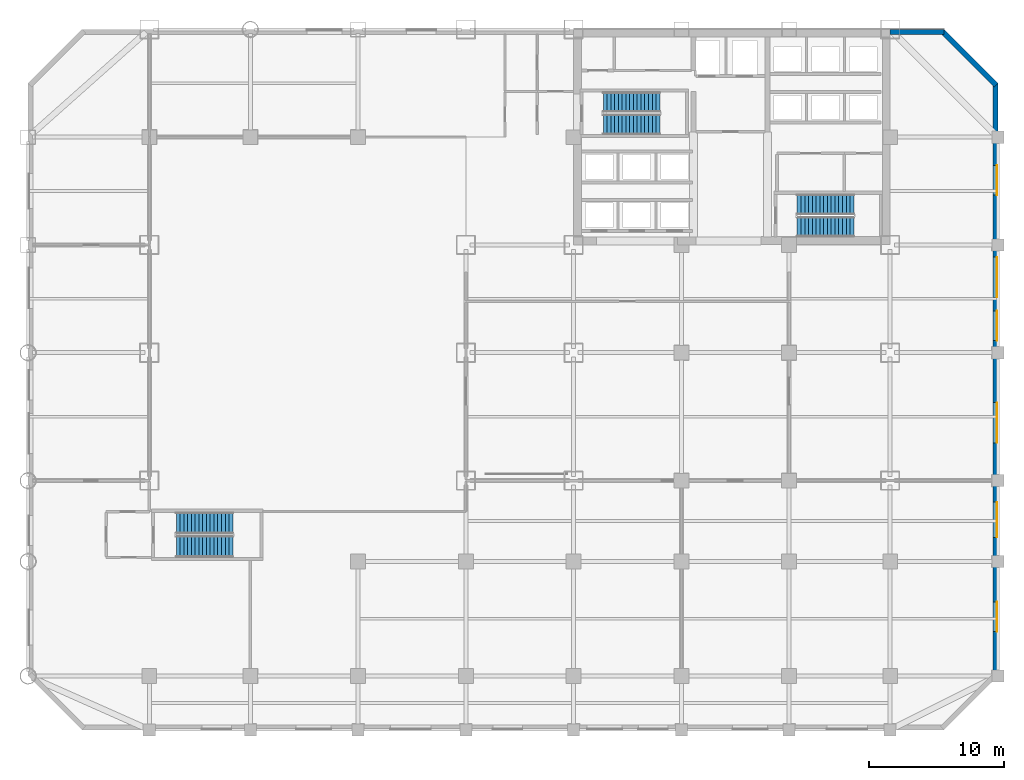
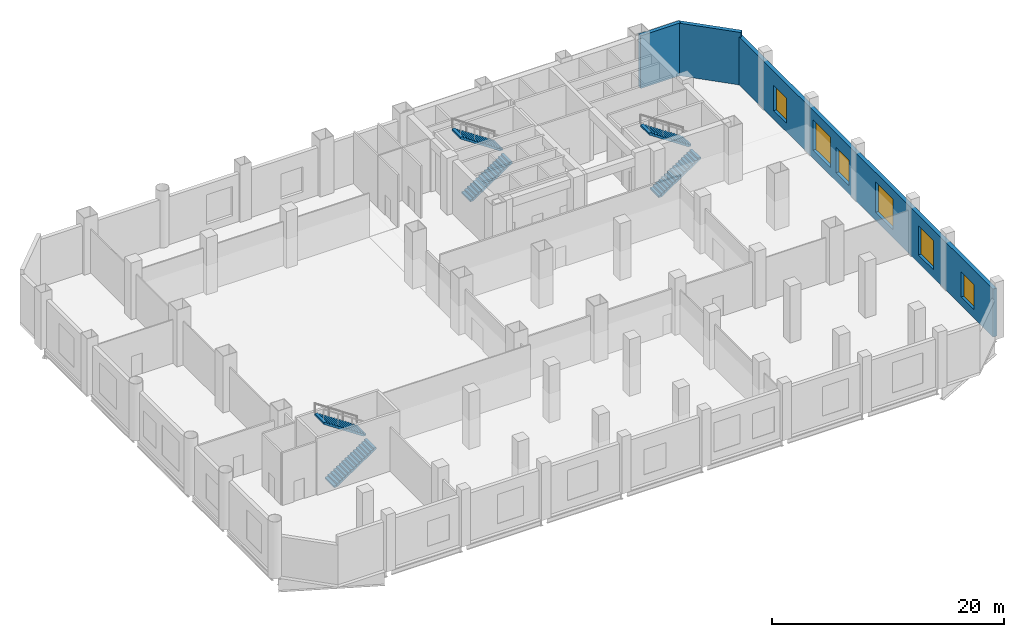
# One storey, part 7 of 11: 6 stair flights, 6 windows, 3 walls, 6 openings, 3 elements without a shape of their own.
"""IFC4 building model written with IfcOpenShell, lengths in metres."""

import ifcopenshell
import ifcopenshell.guid

model = None  # the IFC model being written
_history = None  # IfcOwnerHistory: only IFC2X3 demands one
_inside = {}  # id of a spatial element -> (the spatial element, [elements in it])
_under = {}  # id of a project, library or spatial element -> (it, [spatial elements below it])
_declared = {}  # id of a project -> (the project, [libraries it declares])
_typed = {}  # id of a type object -> (the type object, [elements of that type])
_made_of = {}  # id of a material, layer set ... -> (it, [elements and type objects made of it])


def new_model(schema):
    """Start an empty IFC model of exactly this schema.

    Asked for "IFC4X3", IfcOpenShell would pick the latest addendum, in which some entities
    have other attributes; the version numbers below select the first issue.
    IFC2X3 requires an IfcOwnerHistory on every rooted entity: one is made here for all.
    """
    global model, _history
    if schema == "IFC4X3":
        model = ifcopenshell.file(schema_version=(4, 3, 0, 0))
    else:
        model = ifcopenshell.file(schema=schema)
    _inside.clear()
    _under.clear()
    _declared.clear()
    _typed.clear()
    _made_of.clear()
    _history = None
    if model.schema == "IFC2X3":
        org = make("IfcOrganization", Name="unknown")
        user = make(
            "IfcPersonAndOrganization",
            ThePerson=make("IfcPerson", FamilyName="unknown"),
            TheOrganization=org,
        )
        app = make(
            "IfcApplication",
            ApplicationDeveloper=org,
            Version="unknown",
            ApplicationFullName="unknown",
            ApplicationIdentifier="unknown",
        )
        _history = make(
            "IfcOwnerHistory",
            OwningUser=user,
            OwningApplication=app,
            ChangeAction="ADDED",
            CreationDate=0,
        )
    return model


def make(cls, **values):
    """One entity of the class cls with the attributes given. An attribute that is None is left unset."""
    return model.create_entity(
        cls, **{name: value for name, value in values.items() if value is not None}
    )


def rooted(cls, **values):
    """An entity with a GlobalId (a new one), such as an element, a storey or a relation."""
    return make(cls, GlobalId=ifcopenshell.guid.new(), OwnerHistory=_history, **values)


def si_unit(unit_type, name, prefix=None):
    """IfcSIUnit, for example si_unit("LENGTHUNIT", "METRE", prefix="MILLI")."""
    return make("IfcSIUnit", UnitType=unit_type, Prefix=prefix, Name=name)


def assignment(units):
    """IfcUnitAssignment: the units of a project."""
    return None if units is None else make("IfcUnitAssignment", Units=units)


def point(xyz):
    """IfcCartesianPoint."""
    return None if xyz is None else make("IfcCartesianPoint", Coordinates=xyz)


def direction(xyz):
    """IfcDirection."""
    return None if xyz is None else make("IfcDirection", DirectionRatios=xyz)


def frame(location, z_axis=None, x_axis=None):
    """IfcAxis2Placement3D, a coordinate frame: its origin and axes. An axis left out is left unset."""
    return make(
        "IfcAxis2Placement3D",
        Location=point(location),
        Axis=direction(z_axis),
        RefDirection=direction(x_axis),
    )


def frame_2d(location, x_axis=None):
    """IfcAxis2Placement2D, a coordinate frame in the plane: its origin and x axis."""
    return make(
        "IfcAxis2Placement2D", Location=point(location), RefDirection=direction(x_axis)
    )


def origin():
    """The frame at (0, 0, 0) with its axes left unset."""
    return frame((0.0, 0.0, 0.0))


def place(relative_to, where):
    """IfcLocalPlacement: puts the frame where relative to a parent placement (None: the world)."""
    return make(
        "IfcLocalPlacement", PlacementRelTo=relative_to, RelativePlacement=where
    )


def context(
    kind, dimensions, precision=None, world=None, true_north=None, identifier=None
):
    """IfcGeometricRepresentationContext, for example the 3D "Model" context."""
    return make(
        "IfcGeometricRepresentationContext",
        ContextIdentifier=identifier,
        ContextType=kind,
        CoordinateSpaceDimension=dimensions,
        Precision=precision,
        WorldCoordinateSystem=world,
        TrueNorth=true_north,
    )


def subcontext(parent, identifier, kind, view, scale=None):
    """IfcGeometricRepresentationSubContext, for example "Body" below "Model"."""
    return make(
        "IfcGeometricRepresentationSubContext",
        ContextIdentifier=identifier,
        ContextType=kind,
        ParentContext=parent,
        TargetScale=scale,
        TargetView=view,
    )


def project(units=None, contexts=None):
    """IfcProject with its units and contexts."""
    return rooted(
        "IfcProject",
        Name="project",
        RepresentationContexts=contexts,
        UnitsInContext=assignment(units),
    )


def spatial(cls, under=None, at=None, **own):
    """A site, building, storey or space (cls), placed at a placement, below another one or the project."""
    s = rooted(cls, ObjectPlacement=at, **own)
    if under is not None:
        _under.setdefault(under.id(), (under, []))[1].append(s)
    return s


def polyline(points):
    """IfcPolyline through the points."""
    return make("IfcPolyline", Points=[point(p) for p in points])


def profile(cls, at=None, kind="AREA", **sizes):
    """A parametric profile (cls). Its sizes go by their IFC names, for example OverallWidth=200.0."""
    return make(cls, ProfileType=kind, Position=at, **sizes)


def rectangle(**sizes):
    """IfcRectangleProfileDef."""
    return profile("IfcRectangleProfileDef", **sizes)


def outline(outer, holes=None, kind="AREA"):
    """IfcArbitraryClosedProfileDef: a profile drawn as a closed curve; with holes, ...WithVoids."""
    if holes is None:
        return make("IfcArbitraryClosedProfileDef", ProfileType=kind, OuterCurve=outer)
    return make(
        "IfcArbitraryProfileDefWithVoids",
        ProfileType=kind,
        OuterCurve=outer,
        InnerCurves=holes,
    )


def extrude(swept, where, along, depth):
    """IfcExtrudedAreaSolid: the profile swept, set in the frame where, extruded along a direction by depth."""
    return make(
        "IfcExtrudedAreaSolid",
        SweptArea=swept,
        Position=where,
        ExtrudedDirection=direction(along),
        Depth=depth,
    )


def shape(context_of_items, identifier, shape_type, items):
    """IfcShapeRepresentation: the items that make up one representation, for example the "Body"."""
    return make(
        "IfcShapeRepresentation",
        ContextOfItems=context_of_items,
        RepresentationIdentifier=identifier,
        RepresentationType=shape_type,
        Items=items,
    )


def material(Name=None, Category=None):
    """IfcMaterial."""
    return make("IfcMaterial", Name=Name, Category=Category)


def layer(
    of_material, thickness, ventilated=None, Name=None, Category=None, Priority=None
):
    """IfcMaterialLayer: one layer of a wall or slab, of a material (None: an air gap)."""
    return make(
        "IfcMaterialLayer",
        Material=of_material,
        LayerThickness=thickness,
        IsVentilated=ventilated,
        Name=Name,
        Category=Category,
        Priority=Priority,
    )


def layer_set(layers, Name=None):
    """IfcMaterialLayerSet."""
    return make("IfcMaterialLayerSet", MaterialLayers=layers, LayerSetName=Name)


def made_of(thing, what):
    """Note that an element or type object is made of a material, layer set ...; save() writes the relation."""
    if what is not None:
        _made_of.setdefault(what.id(), (what, []))[1].append(thing)
    return thing


def type_object(cls, material=None, **own):
    """A type object (cls), such as IfcWallType, which elements share."""
    return made_of(rooted(cls, **own), material)


def element(
    cls,
    number,
    at=None,
    inside=None,
    cuts=None,
    type_object=None,
    material=None,
    context=None,
    identifier="Body",
    shape_type=None,
    held_by="IfcProductDefinitionShape",
    body=None,
    shapes=None,
    **own,
):
    """One element of the class cls, such as IfcWall. Its Tag is "e" and its number.

    at: its placement. inside: the storey or other place that contains it. cuts: it is an
    opening in that element (IfcRelVoidsElement). A single representation is given by context,
    identifier, shape_type and body (its items); several are given by shapes. held_by: the class
    of the entity that holds the representations. save() writes the other relations.
    """
    e = rooted(cls, Tag="e%d" % number, ObjectPlacement=at, **own)
    if body is not None:
        shapes = [shape(context, identifier, shape_type, body)]
    if shapes is not None:
        e.Representation = make(held_by, Representations=shapes)
    if inside is not None:
        _inside.setdefault(inside.id(), (inside, []))[1].append(e)
    if cuts is not None:
        rooted(
            "IfcRelVoidsElement", RelatingBuildingElement=cuts, RelatedOpeningElement=e
        )
    if type_object is not None:
        _typed.setdefault(type_object.id(), (type_object, []))[1].append(e)
    return made_of(e, material)


def fill(opening, filler):
    """IfcRelFillsElement: the door or window that sits in an opening."""
    return rooted(
        "IfcRelFillsElement",
        RelatingOpeningElement=opening,
        RelatedBuildingElement=filler,
    )


def aggregate(whole, parts):
    """IfcRelAggregates: a whole, such as a stair, and the parts it consists of."""
    return rooted("IfcRelAggregates", RelatingObject=whole, RelatedObjects=parts)


def save(model, path):
    """Write the relations noted so far, then the file.

    IfcRelAggregates (storeys below a building ...), IfcRelContainedInSpatialStructure (elements
    in a storey), IfcRelDefinesByType, IfcRelAssociatesMaterial and IfcRelDeclares: one each for
    every whole, place, type object, material and project.
    """
    for whole, parts in _under.values():
        aggregate(whole, parts)
    for where, things in _inside.values():
        rooted(
            "IfcRelContainedInSpatialStructure",
            RelatedElements=things,
            RelatingStructure=where,
        )
    for kind, things in _typed.values():
        rooted("IfcRelDefinesByType", RelatedObjects=things, RelatingType=kind)
    for what, things in _made_of.values():
        rooted("IfcRelAssociatesMaterial", RelatedObjects=things, RelatingMaterial=what)
    for by, libraries in _declared.values():
        rooted("IfcRelDeclares", RelatingContext=by, RelatedDefinitions=libraries)
    model.write(path)


model = new_model("IFC4")

# Units and contexts
model_context = context("Model", 3, precision=1e-05, world=origin(), true_north=direction((0.0, 1.0)))
body_context = subcontext(model_context, "Body", "Model", "MODEL_VIEW")
ifc_project = project(units=[si_unit("LENGTHUNIT", "METRE"), si_unit("AREAUNIT", "SQUARE_METRE"), si_unit("VOLUMEUNIT", "CUBIC_METRE"), si_unit("PLANEANGLEUNIT", "RADIAN"), si_unit("MASSUNIT", "GRAM", prefix="KILO")], contexts=[model_context])

# Site, building, storey
site_placement = place(None, origin())
site = spatial("IfcSite", under=ifc_project, at=site_placement, CompositionType="ELEMENT")
building_placement = place(site_placement, origin())
building = spatial("IfcBuilding", under=site, at=building_placement, Name="Qianrong Seaharbour Tower", CompositionType="ELEMENT")
storey_placement = place(building_placement, frame((0.0, 0.0, 11.39990234375)))
storey = spatial("IfcBuildingStorey", under=building, at=storey_placement, Name="L03", CompositionType="ELEMENT", Elevation=11.39990234375)

# Walls
ifc_material_1 = material(Name="Natural honed granite dimension stone", Category="masonry")
ifc_layer = layer(ifc_material_1, 0.3798828125)
ifc_layer_set = layer_set([ifc_layer], Name="Natural honed granite dimension stone")
wall_type = type_object("IfcWallType", Name="WALL-EXT-GRANITE-380", PredefinedType="SOLIDWALL", material=ifc_layer_set)
wall_1_placement = place(storey_placement, frame((63.97998046875, 51.81005859375, 0.0), z_axis=(0.0, 0.0, 1.0), x_axis=(1.0, 0.0, 0.0)))
element("IfcWall", 1, at=wall_1_placement, inside=storey, type_object=wall_type, Name="L03 North-East Podium Facade Wall", PredefinedType="SOLIDWALL", context=body_context, shape_type="SweptSolid", body=[
    extrude(rectangle(XDim=4.02001953125, YDim=0.3798828125, at=frame_2d((2.010009765625, 0.0))), origin(), (0.0, 0.0, 1.0), 5.550048828125),
])
wall_2_placement = place(storey_placement, frame((67.86572265625, 51.86572265625, 0.0), z_axis=(0.0, 0.0, 1.0), x_axis=(0.707106781187, -0.707106781187, 0.0)))
element("IfcWall", 2, at=wall_2_placement, inside=storey, type_object=wall_type, Name="L03 Exterior Masonry Facade Wall E03", PredefinedType="SOLIDWALL", context=body_context, shape_type="SweptSolid", body=[
    extrude(rectangle(XDim=5.65673828125, YDim=0.3798828125, at=frame_2d((2.828369140625, 0.0))), origin(), (0.0, 0.0, 1.0), 5.550048828125),
])

# Wall, openings, windows
wall_3_placement = place(storey_placement, frame((71.81005859375, 48.0, 0.0), z_axis=(0.0, 0.0, 1.0), x_axis=(0.0, -1.0, 0.0)))
wall_3 = element("IfcWall", 3, at=wall_3_placement, inside=storey, type_object=wall_type, Name="L03 Exterior Masonry Facade Wall EAST_WING", PredefinedType="SOLIDWALL", context=body_context, shape_type="SweptSolid", body=[
    extrude(rectangle(XDim=44.0, YDim=0.3798828125, at=frame_2d((22.0, 0.0))), origin(), (0.0, 0.0, 1.0), 5.050048828125),
])
opening_1_placement = place(wall_3_placement, frame((6.10009765625, 0.0, 0.89990234375)))
opening_1 = element("IfcOpeningElement", 4, at=opening_1_placement, cuts=wall_3, Name="Opening WN-10", PredefinedType="OPENING", context=body_context, shape_type="SweptSolid", body=[
    extrude(rectangle(XDim=2.199951171875, YDim=2.64990234375, at=frame_2d((1.10009765625, 1.324951171875))), frame((0.0, 0.199951171875, 0.0), z_axis=(0.0, -1.0, 0.0), x_axis=(1.0, 0.0, 0.0)), (0.0, 0.0, 1.0), 0.39990234375),
])
opening_2_placement = place(wall_3_placement, frame((12.89990234375, 0.0, 0.85009765625)))
opening_2 = element("IfcOpeningElement", 5, at=opening_2_placement, cuts=wall_3, Name="Opening WN-12", PredefinedType="OPENING", context=body_context, shape_type="SweptSolid", body=[
    extrude(rectangle(XDim=3.0, YDim=3.199951171875, at=frame_2d((1.5, 1.60009765625))), frame((0.0, 0.199951171875, 0.0), z_axis=(0.0, -1.0, 0.0), x_axis=(1.0, 0.0, 0.0)), (0.0, 0.0, 1.0), 0.39990234375),
])
opening_3_placement = place(wall_3_placement, frame((16.89990234375, 0.0, 0.89990234375)))
opening_3 = element("IfcOpeningElement", 6, at=opening_3_placement, cuts=wall_3, Name="Opening WN-10", PredefinedType="OPENING", context=body_context, shape_type="SweptSolid", body=[
    extrude(rectangle(XDim=2.199951171875, YDim=2.64990234375, at=frame_2d((1.10009765625, 1.324951171875))), frame((0.0, 0.199951171875, 0.0), z_axis=(0.0, -1.0, 0.0), x_axis=(1.0, 0.0, 0.0)), (0.0, 0.0, 1.0), 0.39990234375),
])
opening_4_placement = place(wall_3_placement, frame((23.699951171875, 0.0, 0.85009765625)))
opening_4 = element("IfcOpeningElement", 7, at=opening_4_placement, cuts=wall_3, Name="Opening WN-12", PredefinedType="OPENING", context=body_context, shape_type="SweptSolid", body=[
    extrude(rectangle(XDim=3.0, YDim=3.199951171875, at=frame_2d((1.5, 1.60009765625))), frame((0.0, 0.199951171875, 0.0), z_axis=(0.0, -1.0, 0.0), x_axis=(1.0, 0.0, 0.0)), (0.0, 0.0, 1.0), 0.39990234375),
])
opening_5_placement = place(wall_3_placement, frame((31.10009765625, 0.0, 0.85009765625)))
opening_5 = element("IfcOpeningElement", 8, at=opening_5_placement, cuts=wall_3, Name="Opening WN-11", PredefinedType="OPENING", context=body_context, shape_type="SweptSolid", body=[
    extrude(rectangle(XDim=2.60009765625, YDim=3.10009765625, at=frame_2d((1.300048828125, 1.550048828125))), frame((0.0, 0.199951171875, 0.0), z_axis=(0.0, -1.0, 0.0), x_axis=(1.0, 0.0, 0.0)), (0.0, 0.0, 1.0), 0.39990234375),
])
opening_6_placement = place(wall_3_placement, frame((38.5, 0.0, 0.89990234375)))
opening_6 = element("IfcOpeningElement", 9, at=opening_6_placement, cuts=wall_3, Name="Opening WN-10", PredefinedType="OPENING", context=body_context, shape_type="SweptSolid", body=[
    extrude(rectangle(XDim=2.199951171875, YDim=2.64990234375, at=frame_2d((1.10009765625, 1.324951171875))), frame((0.0, 0.199951171875, 0.0), z_axis=(0.0, -1.0, 0.0), x_axis=(1.0, 0.0, 0.0)), (0.0, 0.0, 1.0), 0.39990234375),
])
ifc_material_2 = material(Name="Insulated low-e double glazing in thermally broken aluminium 6063-T6 frame", Category="aluminium")
window_type_1 = type_object("IfcWindowType", Name="WIN-POD-2600x3100", PartitioningType="TRIPLE_PANEL_VERTICAL", PredefinedType="WINDOW", material=ifc_material_2)
window_1_placement = place(opening_5_placement, origin())
window_1 = element("IfcWindow", 10, at=window_1_placement, inside=storey, type_object=window_type_1, Name="L03 Deep-Set Punched Window 04.09", OverallHeight=3.10009765625, OverallWidth=2.60009765625, PartitioningType="TRIPLE_PANEL_VERTICAL", PredefinedType="WINDOW", context=body_context, shape_type="SweptSolid", body=[
    extrude(rectangle(XDim=2.60009765625, YDim=3.10009765625, at=frame_2d((1.300048828125, 1.550048828125))), frame((0.0, 0.150146484375, 0.0), z_axis=(0.0, -1.0, 0.0), x_axis=(1.0, 0.0, 0.0)), (0.0, 0.0, 1.0), 0.06005859375),
])
fill(opening_5, window_1)
window_type_2 = type_object("IfcWindowType", Name="WIN-POD-3000x3200", PartitioningType="TRIPLE_PANEL_VERTICAL", PredefinedType="WINDOW", material=ifc_material_2)
window_2_placement = place(opening_2_placement, origin())
window_2 = element("IfcWindow", 11, at=window_2_placement, inside=storey, type_object=window_type_2, Name="L03 Deep-Set Punched Window 04.04", OverallHeight=3.199951171875, OverallWidth=3.0, PartitioningType="TRIPLE_PANEL_VERTICAL", PredefinedType="WINDOW", context=body_context, shape_type="SweptSolid", body=[
    extrude(rectangle(XDim=3.0, YDim=3.199951171875, at=frame_2d((1.5, 1.60009765625))), frame((0.0, 0.150146484375, 0.0), z_axis=(0.0, -1.0, 0.0), x_axis=(1.0, 0.0, 0.0)), (0.0, 0.0, 1.0), 0.06005859375),
])
fill(opening_2, window_2)
window_3_placement = place(opening_4_placement, origin())
window_3 = element("IfcWindow", 12, at=window_3_placement, inside=storey, type_object=window_type_2, Name="L03 Deep-Set Punched Window 04.07", OverallHeight=3.199951171875, OverallWidth=3.0, PartitioningType="TRIPLE_PANEL_VERTICAL", PredefinedType="WINDOW", context=body_context, shape_type="SweptSolid", body=[
    extrude(rectangle(XDim=3.0, YDim=3.199951171875, at=frame_2d((1.5, 1.60009765625))), frame((0.0, 0.150146484375, 0.0), z_axis=(0.0, -1.0, 0.0), x_axis=(1.0, 0.0, 0.0)), (0.0, 0.0, 1.0), 0.06005859375),
])
fill(opening_4, window_3)
window_type_3 = type_object("IfcWindowType", Name="WIN-PUNCH-2200x2650", PartitioningType="TRIPLE_PANEL_VERTICAL", PredefinedType="WINDOW", material=ifc_material_2)
window_4_placement = place(opening_1_placement, origin())
window_4 = element("IfcWindow", 13, at=window_4_placement, inside=storey, type_object=window_type_3, Name="L03 Deep-Set Punched Window 04.02", OverallHeight=2.64990234375, OverallWidth=2.199951171875, PartitioningType="TRIPLE_PANEL_VERTICAL", PredefinedType="WINDOW", context=body_context, shape_type="SweptSolid", body=[
    extrude(rectangle(XDim=2.199951171875, YDim=2.64990234375, at=frame_2d((1.10009765625, 1.324951171875))), frame((0.0, 0.150146484375, 0.0), z_axis=(0.0, -1.0, 0.0), x_axis=(1.0, 0.0, 0.0)), (0.0, 0.0, 1.0), 0.06005859375),
])
fill(opening_1, window_4)
window_5_placement = place(opening_3_placement, origin())
window_5 = element("IfcWindow", 14, at=window_5_placement, inside=storey, type_object=window_type_3, Name="L03 Deep-Set Punched Window 04.05", OverallHeight=2.64990234375, OverallWidth=2.199951171875, PartitioningType="TRIPLE_PANEL_VERTICAL", PredefinedType="WINDOW", context=body_context, shape_type="SweptSolid", body=[
    extrude(rectangle(XDim=2.199951171875, YDim=2.64990234375, at=frame_2d((1.10009765625, 1.324951171875))), frame((0.0, 0.150146484375, 0.0), z_axis=(0.0, -1.0, 0.0), x_axis=(1.0, 0.0, 0.0)), (0.0, 0.0, 1.0), 0.06005859375),
])
fill(opening_3, window_5)
window_6_placement = place(opening_6_placement, origin())
window_6 = element("IfcWindow", 15, at=window_6_placement, inside=storey, type_object=window_type_3, Name="L03 Deep-Set Punched Window 04.11", OverallHeight=2.64990234375, OverallWidth=2.199951171875, PartitioningType="TRIPLE_PANEL_VERTICAL", PredefinedType="WINDOW", context=body_context, shape_type="SweptSolid", body=[
    extrude(rectangle(XDim=2.199951171875, YDim=2.64990234375, at=frame_2d((1.10009765625, 1.324951171875))), frame((0.0, 0.150146484375, 0.0), z_axis=(0.0, -1.0, 0.0), x_axis=(1.0, 0.0, 0.0)), (0.0, 0.0, 1.0), 0.06005859375),
])
fill(opening_6, window_6)

# Stair, stair flights
ifc_material_3 = material(Name="Concrete C50/60", Category="concrete")
stair_type_1 = type_object("IfcStairType", Name="STAIR-DOGLEG-1500-R32", PredefinedType="HALF_TURN_STAIR", material=ifc_material_3)
stair_1_placement = place(storey_placement, origin())
stair_1 = element("IfcStair", 16, at=stair_1_placement, inside=storey, type_object=stair_type_1, Name="L03 Protected Escape Stair ST-1", PredefinedType="HALF_TURN_STAIR")
stair_flight_type_1 = type_object("IfcStairFlightType", Name="FLIGHT-STR-1500-R32", PredefinedType="STRAIGHT", material=ifc_material_3)
stair_flight_1_placement = place(storey_placement, frame((42.699951171875, 44.949951171875, 0.0), z_axis=(0.0, 0.0, 1.0), x_axis=(1.0, 0.0, 0.0)))
stair_flight_1 = element("IfcStairFlight", 17, at=stair_flight_1_placement, type_object=stair_flight_type_1, Name="ST-1 flight 1", NumberOfRisers=16, NumberOfTreads=15, PredefinedType="STRAIGHT", RiserHeight=0.1875, TreadLength=0.28, context=body_context, shape_type="SweptSolid", body=[
    extrude(outline(polyline([(0.0, 0.0), (0.0, 0.1875), (0.280029296875, 0.1875), (0.280029296875, 0.375), (0.56005859375, 0.375), (0.56005859375, 0.5625), (0.840087890625, 0.5625), (0.840087890625, 0.75), (1.1201171875, 0.75), (1.1201171875, 0.9375), (1.39990234375, 0.9375), (1.39990234375, 1.125), (1.679931640625, 1.125), (1.679931640625, 1.3125), (1.9599609375, 1.3125), (1.9599609375, 1.5), (2.239990234375, 1.5), (2.239990234375, 1.6875), (2.52001953125, 1.6875), (2.52001953125, 1.875), (2.800048828125, 1.875), (2.800048828125, 2.0625), (3.080078125, 2.0625), (3.080078125, 2.25), (3.360107421875, 2.25), (3.360107421875, 2.4375), (3.639892578125, 2.4375), (3.639892578125, 2.625), (3.919921875, 2.625), (3.919921875, 2.8125), (4.199951171875, 2.8125), (4.199951171875, 3.0), (4.199951171875, 2.6201171875), (0.287353515625, 0.0), (0.0, 0.0)])), frame((0.0, 0.75, 0.0), z_axis=(0.0, -1.0, 0.0), x_axis=(1.0, 0.0, 0.0)), (0.0, 0.0, 1.0), 1.5),
])
stair_flight_2_placement = place(storey_placement, frame((46.89990234375, 46.60009765625, 3.0), z_axis=(0.0, 0.0, 1.0), x_axis=(-1.0, 0.0, 0.0)))
stair_flight_2 = element("IfcStairFlight", 18, at=stair_flight_2_placement, type_object=stair_flight_type_1, Name="ST-1 flight 2", NumberOfRisers=16, NumberOfTreads=15, PredefinedType="STRAIGHT", RiserHeight=0.1875, TreadLength=0.28, context=body_context, shape_type="SweptSolid", body=[
    extrude(outline(polyline([(0.0, 0.0), (0.0, 0.1875), (0.280029296875, 0.1875), (0.280029296875, 0.375), (0.56005859375, 0.375), (0.56005859375, 0.5625), (0.840087890625, 0.5625), (0.840087890625, 0.75), (1.1201171875, 0.75), (1.1201171875, 0.9375), (1.39990234375, 0.9375), (1.39990234375, 1.125), (1.679931640625, 1.125), (1.679931640625, 1.3125), (1.9599609375, 1.3125), (1.9599609375, 1.5), (2.239990234375, 1.5), (2.239990234375, 1.6875), (2.52001953125, 1.6875), (2.52001953125, 1.875), (2.800048828125, 1.875), (2.800048828125, 2.0625), (3.080078125, 2.0625), (3.080078125, 2.25), (3.360107421875, 2.25), (3.360107421875, 2.4375), (3.639892578125, 2.4375), (3.639892578125, 2.625), (3.919921875, 2.625), (3.919921875, 2.8125), (4.199951171875, 2.8125), (4.199951171875, 3.0), (4.199951171875, 2.6201171875), (0.287353515625, 0.0), (0.0, 0.0)])), frame((0.0, 0.75, 0.0), z_axis=(0.0, -1.0, 0.0), x_axis=(1.0, 0.0, 0.0)), (0.0, 0.0, 1.0), 1.5),
])
aggregate(stair_1, [stair_flight_1, stair_flight_2])

stair_2_placement = place(storey_placement, origin())
stair_2 = element("IfcStair", 19, at=stair_2_placement, inside=storey, type_object=stair_type_1, Name="L03 Protected Escape Stair ST-2", PredefinedType="HALF_TURN_STAIR")
stair_flight_3_placement = place(storey_placement, frame((57.10009765625, 37.35009765625, 0.0), z_axis=(0.0, 0.0, 1.0), x_axis=(1.0, 0.0, 0.0)))
stair_flight_3 = element("IfcStairFlight", 20, at=stair_flight_3_placement, type_object=stair_flight_type_1, Name="ST-2 flight 1", NumberOfRisers=16, NumberOfTreads=15, PredefinedType="STRAIGHT", RiserHeight=0.1875, TreadLength=0.28, context=body_context, shape_type="SweptSolid", body=[
    extrude(outline(polyline([(0.0, 0.0), (0.0, 0.1875), (0.280029296875, 0.1875), (0.280029296875, 0.375), (0.56005859375, 0.375), (0.56005859375, 0.5625), (0.840087890625, 0.5625), (0.840087890625, 0.75), (1.1201171875, 0.75), (1.1201171875, 0.9375), (1.39990234375, 0.9375), (1.39990234375, 1.125), (1.679931640625, 1.125), (1.679931640625, 1.3125), (1.9599609375, 1.3125), (1.9599609375, 1.5), (2.239990234375, 1.5), (2.239990234375, 1.6875), (2.52001953125, 1.6875), (2.52001953125, 1.875), (2.800048828125, 1.875), (2.800048828125, 2.0625), (3.080078125, 2.0625), (3.080078125, 2.25), (3.360107421875, 2.25), (3.360107421875, 2.4375), (3.639892578125, 2.4375), (3.639892578125, 2.625), (3.919921875, 2.625), (3.919921875, 2.8125), (4.199951171875, 2.8125), (4.199951171875, 3.0), (4.199951171875, 2.6201171875), (0.287353515625, 0.0), (0.0, 0.0)])), frame((0.0, 0.75, 0.0), z_axis=(0.0, -1.0, 0.0), x_axis=(1.0, 0.0, 0.0)), (0.0, 0.0, 1.0), 1.5),
])
stair_flight_4_placement = place(storey_placement, frame((61.300048828125, 39.0, 3.0), z_axis=(0.0, 0.0, 1.0), x_axis=(-1.0, 0.0, 0.0)))
stair_flight_4 = element("IfcStairFlight", 21, at=stair_flight_4_placement, type_object=stair_flight_type_1, Name="ST-2 flight 2", NumberOfRisers=16, NumberOfTreads=15, PredefinedType="STRAIGHT", RiserHeight=0.1875, TreadLength=0.28, context=body_context, shape_type="SweptSolid", body=[
    extrude(outline(polyline([(0.0, 0.0), (0.0, 0.1875), (0.280029296875, 0.1875), (0.280029296875, 0.375), (0.56005859375, 0.375), (0.56005859375, 0.5625), (0.840087890625, 0.5625), (0.840087890625, 0.75), (1.1201171875, 0.75), (1.1201171875, 0.9375), (1.39990234375, 0.9375), (1.39990234375, 1.125), (1.679931640625, 1.125), (1.679931640625, 1.3125), (1.9599609375, 1.3125), (1.9599609375, 1.5), (2.239990234375, 1.5), (2.239990234375, 1.6875), (2.52001953125, 1.6875), (2.52001953125, 1.875), (2.800048828125, 1.875), (2.800048828125, 2.0625), (3.080078125, 2.0625), (3.080078125, 2.25), (3.360107421875, 2.25), (3.360107421875, 2.4375), (3.639892578125, 2.4375), (3.639892578125, 2.625), (3.919921875, 2.625), (3.919921875, 2.8125), (4.199951171875, 2.8125), (4.199951171875, 3.0), (4.199951171875, 2.6201171875), (0.287353515625, 0.0), (0.0, 0.0)])), frame((0.0, 0.75, 0.0), z_axis=(0.0, -1.0, 0.0), x_axis=(1.0, 0.0, 0.0)), (0.0, 0.0, 1.0), 1.5),
])
aggregate(stair_2, [stair_flight_3, stair_flight_4])

stair_type_2 = type_object("IfcStairType", Name="STAIR-DOGLEG-1600-R32", PredefinedType="HALF_TURN_STAIR", material=ifc_material_3)
stair_3_placement = place(storey_placement, origin())
stair_3 = element("IfcStair", 22, at=stair_3_placement, inside=storey, type_object=stair_type_2, Name="L03 Protected Escape Stair PST-3", PredefinedType="HALF_TURN_STAIR")
stair_flight_type_2 = type_object("IfcStairFlightType", Name="FLIGHT-STR-1600-R32", PredefinedType="STRAIGHT", material=ifc_material_3)
stair_flight_5_placement = place(storey_placement, frame((11.0, 13.60009765625, 0.0), z_axis=(0.0, 0.0, 1.0), x_axis=(1.0, 0.0, 0.0)))
stair_flight_5 = element("IfcStairFlight", 23, at=stair_flight_5_placement, type_object=stair_flight_type_2, Name="PST-3 flight 1", NumberOfRisers=16, NumberOfTreads=15, PredefinedType="STRAIGHT", RiserHeight=0.1875, TreadLength=0.28, context=body_context, shape_type="SweptSolid", body=[
    extrude(outline(polyline([(0.0, 0.0), (0.0, 0.1875), (0.280029296875, 0.1875), (0.280029296875, 0.375), (0.56005859375, 0.375), (0.56005859375, 0.5625), (0.840087890625, 0.5625), (0.840087890625, 0.75), (1.1201171875, 0.75), (1.1201171875, 0.9375), (1.39990234375, 0.9375), (1.39990234375, 1.125), (1.679931640625, 1.125), (1.679931640625, 1.3125), (1.9599609375, 1.3125), (1.9599609375, 1.5), (2.239990234375, 1.5), (2.239990234375, 1.6875), (2.52001953125, 1.6875), (2.52001953125, 1.875), (2.800048828125, 1.875), (2.800048828125, 2.0625), (3.080078125, 2.0625), (3.080078125, 2.25), (3.360107421875, 2.25), (3.360107421875, 2.4375), (3.639892578125, 2.4375), (3.639892578125, 2.625), (3.919921875, 2.625), (3.919921875, 2.8125), (4.199951171875, 2.8125), (4.199951171875, 3.0), (4.199951171875, 2.6201171875), (0.287353515625, 0.0), (0.0, 0.0)])), frame((0.0, 0.800048828125, 0.0), z_axis=(0.0, -1.0, 0.0), x_axis=(1.0, 0.0, 0.0)), (0.0, 0.0, 1.0), 1.60009765625),
])
stair_flight_6_placement = place(storey_placement, frame((15.199951171875, 15.35009765625, 3.0), z_axis=(0.0, 0.0, 1.0), x_axis=(-1.0, 0.0, 0.0)))
stair_flight_6 = element("IfcStairFlight", 24, at=stair_flight_6_placement, type_object=stair_flight_type_2, Name="PST-3 flight 2", NumberOfRisers=16, NumberOfTreads=15, PredefinedType="STRAIGHT", RiserHeight=0.1875, TreadLength=0.28, context=body_context, shape_type="SweptSolid", body=[
    extrude(outline(polyline([(0.0, 0.0), (0.0, 0.1875), (0.280029296875, 0.1875), (0.280029296875, 0.375), (0.56005859375, 0.375), (0.56005859375, 0.5625), (0.840087890625, 0.5625), (0.840087890625, 0.75), (1.1201171875, 0.75), (1.1201171875, 0.9375), (1.39990234375, 0.9375), (1.39990234375, 1.125), (1.679931640625, 1.125), (1.679931640625, 1.3125), (1.9599609375, 1.3125), (1.9599609375, 1.5), (2.239990234375, 1.5), (2.239990234375, 1.6875), (2.52001953125, 1.6875), (2.52001953125, 1.875), (2.800048828125, 1.875), (2.800048828125, 2.0625), (3.080078125, 2.0625), (3.080078125, 2.25), (3.360107421875, 2.25), (3.360107421875, 2.4375), (3.639892578125, 2.4375), (3.639892578125, 2.625), (3.919921875, 2.625), (3.919921875, 2.8125), (4.199951171875, 2.8125), (4.199951171875, 3.0), (4.199951171875, 2.6201171875), (0.287353515625, 0.0), (0.0, 0.0)])), frame((0.0, 0.800048828125, 0.0), z_axis=(0.0, -1.0, 0.0), x_axis=(1.0, 0.0, 0.0)), (0.0, 0.0, 1.0), 1.60009765625),
])
aggregate(stair_3, [stair_flight_5, stair_flight_6])

save(model, "model.ifc")
